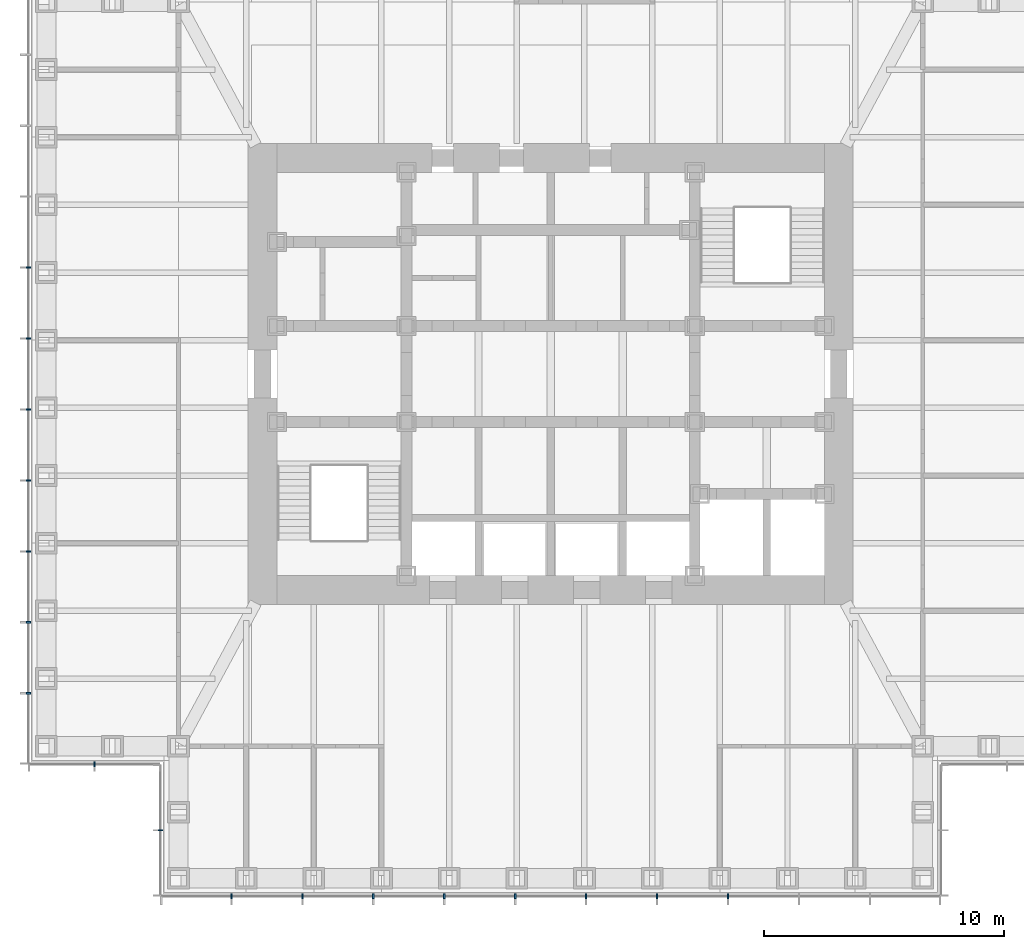
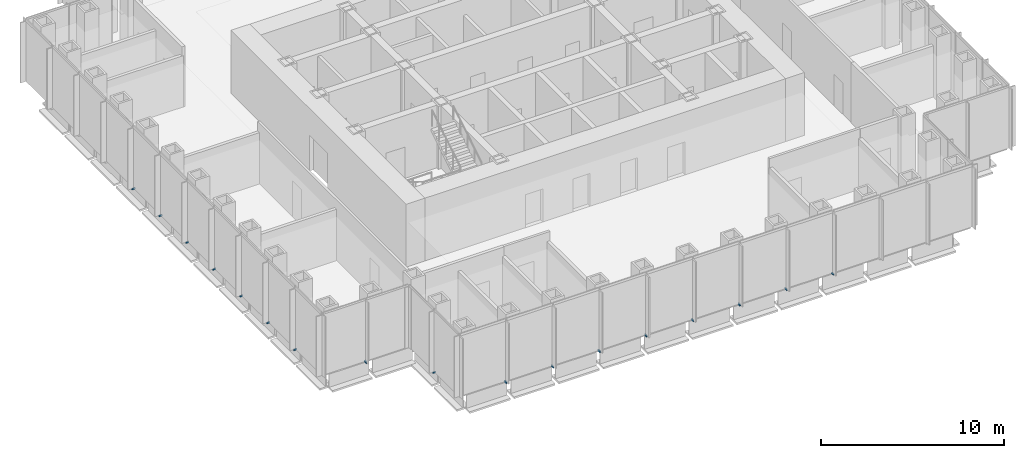
# One storey, part 11 of 16: 17 discrete accessories.
"""IFC4 building model written with IfcOpenShell, lengths in metres."""

from ifc_helpers import new_model, si_unit, direction, frame, origin, origin_2d, place, context, subcontext, project, spatial, rectangle, extrude, element, save


model = new_model("IFC4")

# Units and contexts
model_context = context("Model", 3, precision=1e-05, world=origin(), true_north=direction((0.0, 1.0)))
body_context = subcontext(model_context, "Body", "Model", "MODEL_VIEW")
ifc_project = project(units=[si_unit("LENGTHUNIT", "METRE"), si_unit("AREAUNIT", "SQUARE_METRE"), si_unit("VOLUMEUNIT", "CUBIC_METRE"), si_unit("PLANEANGLEUNIT", "RADIAN"), si_unit("MASSUNIT", "GRAM", prefix="KILO")], contexts=[model_context])

# Site, building, storey
site_placement = place(None, origin())
site = spatial("IfcSite", under=ifc_project, at=site_placement, CompositionType="ELEMENT")
building_placement = place(site_placement, origin())
building = spatial("IfcBuilding", under=site, at=building_placement, Name="Daluyong Arena Tower", CompositionType="ELEMENT")
storey_placement = place(building_placement, frame((0.0, 0.0, 198.10009765625)))
storey = spatial("IfcBuildingStorey", under=building, at=storey_placement, Name="L44", CompositionType="ELEMENT", Elevation=198.10009765625)

# Discrete accessories
for number, where, z_axis, x_axis, name in (
    (1, (42.70458984375, 58.25, -0.10009765625), (0.0, 0.0, 1.0), (1.0, 0.0, 0.0), "curtain wall L44 S anchor bracket 2"),
    (2, (45.6591796875, 58.25, -0.10009765625), (0.0, 0.0, 1.0), (1.0, 0.0, 0.0), "curtain wall L44 S anchor bracket 3"),
    (3, (48.613525390625, 58.25, -0.10009765625), (0.0, 0.0, 1.0), (1.0, 0.0, 0.0), "curtain wall L44 S anchor bracket 4"),
    (4, (51.568115234375, 58.25, -0.10009765625), (0.0, 0.0, 1.0), (1.0, 0.0, 0.0), "curtain wall L44 S anchor bracket 5"),
    (5, (54.522705078125, 58.25, -0.10009765625), (0.0, 0.0, 1.0), (1.0, 0.0, 0.0), "curtain wall L44 S anchor bracket 6"),
    (6, (57.477294921875, 58.25, -0.10009765625), (0.0, 0.0, 1.0), (1.0, 0.0, 0.0), "curtain wall L44 S anchor bracket 7"),
    (7, (60.431884765625, 58.25, -0.10009765625), (0.0, 0.0, 1.0), (1.0, 0.0, 0.0), "curtain wall L44 S anchor bracket 8"),
    (8, (63.386474609375, 58.25, -0.10009765625), (0.0, 0.0, 1.0), (1.0, 0.0, 0.0), "curtain wall L44 S anchor bracket 9"),
    (9, (34.25, 84.431884765625, -0.10009765625), (0.0, 0.0, 1.0), (0.0, -1.0, 0.0), "curtain wall L44 W anchor bracket 5"),
    (10, (34.25, 81.477294921875, -0.10009765625), (0.0, 0.0, 1.0), (0.0, -1.0, 0.0), "curtain wall L44 W anchor bracket 6"),
    (11, (34.25, 78.522705078125, -0.10009765625), (0.0, 0.0, 1.0), (0.0, -1.0, 0.0), "curtain wall L44 W anchor bracket 7"),
    (12, (34.25, 75.568115234375, -0.10009765625), (0.0, 0.0, 1.0), (0.0, -1.0, 0.0), "curtain wall L44 W anchor bracket 8"),
    (13, (34.25, 72.613525390625, -0.10009765625), (0.0, 0.0, 1.0), (0.0, -1.0, 0.0), "curtain wall L44 W anchor bracket 9"),
    (14, (34.25, 69.6591796875, -0.10009765625), (0.0, 0.0, 1.0), (0.0, -1.0, 0.0), "curtain wall L44 W anchor bracket 10"),
    (15, (34.25, 66.70458984375, -0.10009765625), (0.0, 0.0, 1.0), (0.0, -1.0, 0.0), "curtain wall L44 W anchor bracket 11"),
):
    element("IfcDiscreteAccessory", number, at=place(storey_placement, frame(where, z_axis=z_axis, x_axis=x_axis)), inside=storey, Name=name, PredefinedType="BRACKET", context=body_context, shape_type="SweptSolid", body=[
        extrude(rectangle(XDim=0.070068359375, YDim=0.199951171875, at=origin_2d()), origin(), (0.0, 0.0, 1.0), 0.10009765625),
    ])
for number, where, z_axis, x_axis, name in (
    (16, (37.0, 63.75, -0.10009765625), (0.0, 0.0, 1.0), (1.0, 0.0, 0.0), "curtain wall L44 SW-S anchor bracket 2"),
    (17, (39.75, 61.0, -0.10009765625), (0.0, 0.0, 1.0), (0.0, -1.0, 0.0), "curtain wall L44 SW-W anchor bracket 2"),
):
    element("IfcDiscreteAccessory", number, at=place(storey_placement, frame(where, z_axis=z_axis, x_axis=x_axis)), inside=storey, Name=name, PredefinedType="BRACKET", context=body_context, shape_type="SweptSolid", body=[
        extrude(rectangle(XDim=0.06005859375, YDim=0.199951171875, at=origin_2d()), origin(), (0.0, 0.0, 1.0), 0.10009765625),
    ])

save(model, "model.ifc")
